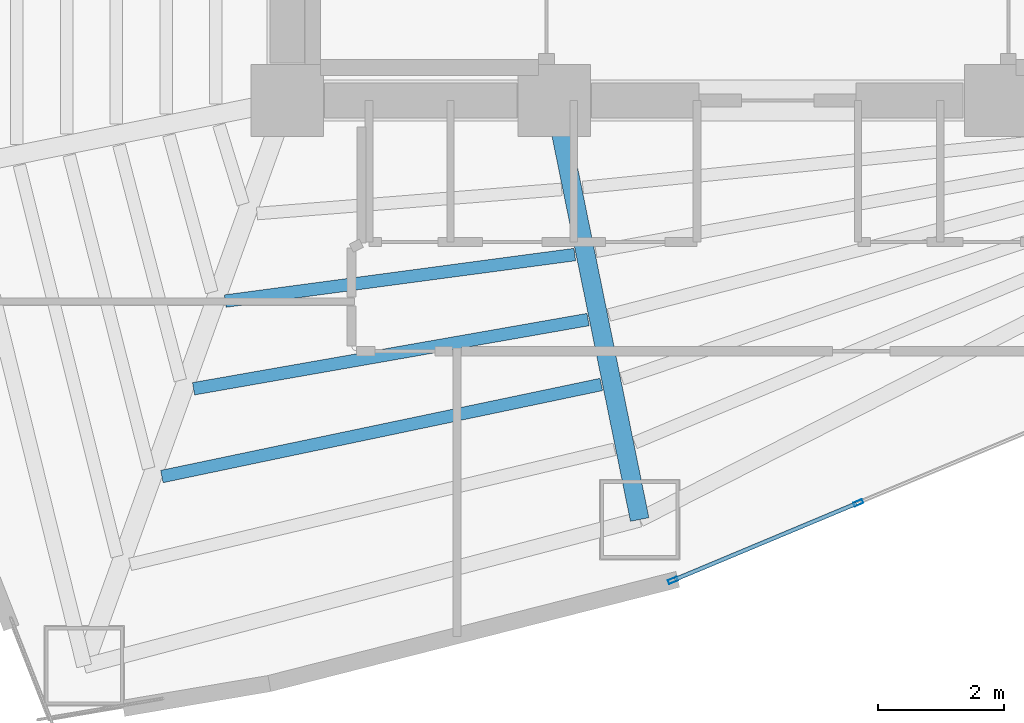
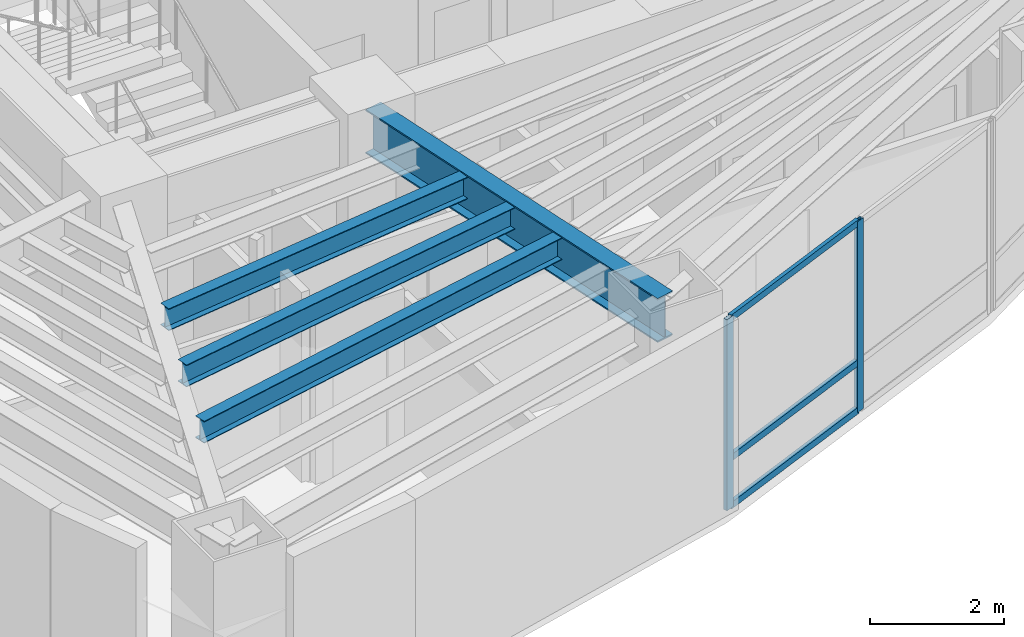
# One storey, part 2 of 18: 5 members, 4 beams, 1 element without a shape of its own.
"""IFC4 building model written with IfcOpenShell, lengths in metres."""

import ifcopenshell
import ifcopenshell.guid

model = None  # the IFC model being written
_history = None  # IfcOwnerHistory: only IFC2X3 demands one
_inside = {}  # id of a spatial element -> (the spatial element, [elements in it])
_under = {}  # id of a project, library or spatial element -> (it, [spatial elements below it])
_declared = {}  # id of a project -> (the project, [libraries it declares])
_typed = {}  # id of a type object -> (the type object, [elements of that type])
_made_of = {}  # id of a material, layer set ... -> (it, [elements and type objects made of it])


def new_model(schema):
    """Start an empty IFC model of exactly this schema.

    Asked for "IFC4X3", IfcOpenShell would pick the latest addendum, in which some entities
    have other attributes; the version numbers below select the first issue.
    IFC2X3 requires an IfcOwnerHistory on every rooted entity: one is made here for all.
    """
    global model, _history
    if schema == "IFC4X3":
        model = ifcopenshell.file(schema_version=(4, 3, 0, 0))
    else:
        model = ifcopenshell.file(schema=schema)
    _inside.clear()
    _under.clear()
    _declared.clear()
    _typed.clear()
    _made_of.clear()
    _history = None
    if model.schema == "IFC2X3":
        org = make("IfcOrganization", Name="unknown")
        user = make(
            "IfcPersonAndOrganization",
            ThePerson=make("IfcPerson", FamilyName="unknown"),
            TheOrganization=org,
        )
        app = make(
            "IfcApplication",
            ApplicationDeveloper=org,
            Version="unknown",
            ApplicationFullName="unknown",
            ApplicationIdentifier="unknown",
        )
        _history = make(
            "IfcOwnerHistory",
            OwningUser=user,
            OwningApplication=app,
            ChangeAction="ADDED",
            CreationDate=0,
        )
    return model


def make(cls, **values):
    """One entity of the class cls with the attributes given. An attribute that is None is left unset."""
    return model.create_entity(
        cls, **{name: value for name, value in values.items() if value is not None}
    )


def rooted(cls, **values):
    """An entity with a GlobalId (a new one), such as an element, a storey or a relation."""
    return make(cls, GlobalId=ifcopenshell.guid.new(), OwnerHistory=_history, **values)


def si_unit(unit_type, name, prefix=None):
    """IfcSIUnit, for example si_unit("LENGTHUNIT", "METRE", prefix="MILLI")."""
    return make("IfcSIUnit", UnitType=unit_type, Prefix=prefix, Name=name)


def assignment(units):
    """IfcUnitAssignment: the units of a project."""
    return None if units is None else make("IfcUnitAssignment", Units=units)


def point(xyz):
    """IfcCartesianPoint."""
    return None if xyz is None else make("IfcCartesianPoint", Coordinates=xyz)


def direction(xyz):
    """IfcDirection."""
    return None if xyz is None else make("IfcDirection", DirectionRatios=xyz)


def frame(location, z_axis=None, x_axis=None):
    """IfcAxis2Placement3D, a coordinate frame: its origin and axes. An axis left out is left unset."""
    return make(
        "IfcAxis2Placement3D",
        Location=point(location),
        Axis=direction(z_axis),
        RefDirection=direction(x_axis),
    )


def frame_2d(location, x_axis=None):
    """IfcAxis2Placement2D, a coordinate frame in the plane: its origin and x axis."""
    return make(
        "IfcAxis2Placement2D", Location=point(location), RefDirection=direction(x_axis)
    )


def origin():
    """The frame at (0, 0, 0) with its axes left unset."""
    return frame((0.0, 0.0, 0.0))


def origin_2d():
    """The frame at (0, 0) in the plane with its x axis left unset."""
    return frame_2d((0.0, 0.0))


def place(relative_to, where):
    """IfcLocalPlacement: puts the frame where relative to a parent placement (None: the world)."""
    return make(
        "IfcLocalPlacement", PlacementRelTo=relative_to, RelativePlacement=where
    )


def context(
    kind, dimensions, precision=None, world=None, true_north=None, identifier=None
):
    """IfcGeometricRepresentationContext, for example the 3D "Model" context."""
    return make(
        "IfcGeometricRepresentationContext",
        ContextIdentifier=identifier,
        ContextType=kind,
        CoordinateSpaceDimension=dimensions,
        Precision=precision,
        WorldCoordinateSystem=world,
        TrueNorth=true_north,
    )


def subcontext(parent, identifier, kind, view, scale=None):
    """IfcGeometricRepresentationSubContext, for example "Body" below "Model"."""
    return make(
        "IfcGeometricRepresentationSubContext",
        ContextIdentifier=identifier,
        ContextType=kind,
        ParentContext=parent,
        TargetScale=scale,
        TargetView=view,
    )


def project(units=None, contexts=None):
    """IfcProject with its units and contexts."""
    return rooted(
        "IfcProject",
        Name="project",
        RepresentationContexts=contexts,
        UnitsInContext=assignment(units),
    )


def spatial(cls, under=None, at=None, **own):
    """A site, building, storey or space (cls), placed at a placement, below another one or the project."""
    s = rooted(cls, ObjectPlacement=at, **own)
    if under is not None:
        _under.setdefault(under.id(), (under, []))[1].append(s)
    return s


def profile(cls, at=None, kind="AREA", **sizes):
    """A parametric profile (cls). Its sizes go by their IFC names, for example OverallWidth=200.0."""
    return make(cls, ProfileType=kind, Position=at, **sizes)


def hollow_rectangle(**sizes):
    """IfcRectangleHollowProfileDef."""
    return profile("IfcRectangleHollowProfileDef", **sizes)


def i_section(**sizes):
    """IfcIShapeProfileDef."""
    return profile("IfcIShapeProfileDef", **sizes)


def extrude(swept, where, along, depth):
    """IfcExtrudedAreaSolid: the profile swept, set in the frame where, extruded along a direction by depth."""
    return make(
        "IfcExtrudedAreaSolid",
        SweptArea=swept,
        Position=where,
        ExtrudedDirection=direction(along),
        Depth=depth,
    )


def shape(context_of_items, identifier, shape_type, items):
    """IfcShapeRepresentation: the items that make up one representation, for example the "Body"."""
    return make(
        "IfcShapeRepresentation",
        ContextOfItems=context_of_items,
        RepresentationIdentifier=identifier,
        RepresentationType=shape_type,
        Items=items,
    )


def material(Name=None, Category=None):
    """IfcMaterial."""
    return make("IfcMaterial", Name=Name, Category=Category)


def layer(
    of_material, thickness, ventilated=None, Name=None, Category=None, Priority=None
):
    """IfcMaterialLayer: one layer of a wall or slab, of a material (None: an air gap)."""
    return make(
        "IfcMaterialLayer",
        Material=of_material,
        LayerThickness=thickness,
        IsVentilated=ventilated,
        Name=Name,
        Category=Category,
        Priority=Priority,
    )


def layer_set(layers, Name=None):
    """IfcMaterialLayerSet."""
    return make("IfcMaterialLayerSet", MaterialLayers=layers, LayerSetName=Name)


def material_profile(
    of_material, cross_section, Name=None, Category=None, Priority=None
):
    """IfcMaterialProfile: a cross section and its material."""
    return make(
        "IfcMaterialProfile",
        Name=Name,
        Material=of_material,
        Profile=cross_section,
        Priority=Priority,
        Category=Category,
    )


def profile_set(profiles, Name=None, composite=None):
    """IfcMaterialProfileSet."""
    return make(
        "IfcMaterialProfileSet",
        Name=Name,
        MaterialProfiles=profiles,
        CompositeProfile=composite,
    )


def made_of(thing, what):
    """Note that an element or type object is made of a material, layer set ...; save() writes the relation."""
    if what is not None:
        _made_of.setdefault(what.id(), (what, []))[1].append(thing)
    return thing


def type_object(cls, material=None, **own):
    """A type object (cls), such as IfcWallType, which elements share."""
    return made_of(rooted(cls, **own), material)


def element(
    cls,
    number,
    at=None,
    inside=None,
    cuts=None,
    type_object=None,
    material=None,
    context=None,
    identifier="Body",
    shape_type=None,
    held_by="IfcProductDefinitionShape",
    body=None,
    shapes=None,
    **own,
):
    """One element of the class cls, such as IfcWall. Its Tag is "e" and its number.

    at: its placement. inside: the storey or other place that contains it. cuts: it is an
    opening in that element (IfcRelVoidsElement). A single representation is given by context,
    identifier, shape_type and body (its items); several are given by shapes. held_by: the class
    of the entity that holds the representations. save() writes the other relations.
    """
    e = rooted(cls, Tag="e%d" % number, ObjectPlacement=at, **own)
    if body is not None:
        shapes = [shape(context, identifier, shape_type, body)]
    if shapes is not None:
        e.Representation = make(held_by, Representations=shapes)
    if inside is not None:
        _inside.setdefault(inside.id(), (inside, []))[1].append(e)
    if cuts is not None:
        rooted(
            "IfcRelVoidsElement", RelatingBuildingElement=cuts, RelatedOpeningElement=e
        )
    if type_object is not None:
        _typed.setdefault(type_object.id(), (type_object, []))[1].append(e)
    return made_of(e, material)


def aggregate(whole, parts):
    """IfcRelAggregates: a whole, such as a stair, and the parts it consists of."""
    return rooted("IfcRelAggregates", RelatingObject=whole, RelatedObjects=parts)


def save(model, path):
    """Write the relations noted so far, then the file.

    IfcRelAggregates (storeys below a building ...), IfcRelContainedInSpatialStructure (elements
    in a storey), IfcRelDefinesByType, IfcRelAssociatesMaterial and IfcRelDeclares: one each for
    every whole, place, type object, material and project.
    """
    for whole, parts in _under.values():
        aggregate(whole, parts)
    for where, things in _inside.values():
        rooted(
            "IfcRelContainedInSpatialStructure",
            RelatedElements=things,
            RelatingStructure=where,
        )
    for kind, things in _typed.values():
        rooted("IfcRelDefinesByType", RelatedObjects=things, RelatingType=kind)
    for what, things in _made_of.values():
        rooted("IfcRelAssociatesMaterial", RelatedObjects=things, RelatingMaterial=what)
    for by, libraries in _declared.values():
        rooted("IfcRelDeclares", RelatingContext=by, RelatedDefinitions=libraries)
    model.write(path)


model = new_model("IFC4")

# Units and contexts
model_context = context("Model", 3, precision=1e-05, world=origin(), true_north=direction((0.0, 1.0)))
body_context = subcontext(model_context, "Body", "Model", "MODEL_VIEW")
ifc_project = project(units=[si_unit("LENGTHUNIT", "METRE"), si_unit("AREAUNIT", "SQUARE_METRE"), si_unit("VOLUMEUNIT", "CUBIC_METRE"), si_unit("PLANEANGLEUNIT", "RADIAN"), si_unit("MASSUNIT", "GRAM", prefix="KILO")], contexts=[model_context])

# Site, building, storey
site_placement = place(None, origin())
site = spatial("IfcSite", under=ifc_project, at=site_placement, CompositionType="ELEMENT")
building_placement = place(site_placement, origin())
building = spatial("IfcBuilding", under=site, at=building_placement, Name="Menara Vayukalpa", CompositionType="ELEMENT")
storey_placement = place(building_placement, frame((0.0, 0.0, 130.02001953125)))
storey = spatial("IfcBuildingStorey", under=building, at=storey_placement, Name="L32", CompositionType="ELEMENT", Elevation=130.02001953125)

# Beams
ifc_material_1 = material(Name="Steel S355", Category="steel")
ifc_material_profile_1 = material_profile(ifc_material_1, i_section(OverallWidth=0.300048828125, OverallDepth=0.800048828125, WebThickness=0.013916015625, FlangeThickness=0.02587890625, at=origin_2d()), Name="WF 800x300x14x26")
ifc_profile_set_1 = profile_set([ifc_material_profile_1], Name="Steel S355")
beam_type_1 = type_object("IfcBeamType", Name="BM-PG3", PredefinedType="BEAM", material=ifc_profile_set_1)
beam_1_placement = place(storey_placement, frame((22.099853515625, 16.955078125, 3.070068359375), z_axis=(0.199617728418, -0.9798738503, 0.0), x_axis=(0.9798738503, 0.199617728418, 0.0)))
element("IfcBeam", 1, at=beam_1_placement, inside=storey, type_object=beam_type_1, Name="L32 Primary Radial Girder RG08", PredefinedType="BEAM", context=body_context, shape_type="SweptSolid", body=[
    extrude(i_section(OverallWidth=0.300048828125, OverallDepth=0.800048828125, WebThickness=0.013916015625, FlangeThickness=0.02587890625, at=origin_2d()), origin(), (0.0, 0.0, 1.0), 6.55419921875),
])
ifc_material_2 = material(Name="Steel S355", Category="steel")
ifc_material_profile_2 = material_profile(ifc_material_2, i_section(OverallWidth=0.199951171875, OverallDepth=0.39990234375, WebThickness=0.008056640625, FlangeThickness=0.012939453125, at=origin_2d()), Name="WF 400x200x8x13")
ifc_profile_set_2 = profile_set([ifc_material_profile_2], Name="Steel S355")
beam_type_2 = type_object("IfcBeamType", Name="BM-SJ2", PredefinedType="JOIST", material=ifc_profile_set_2)
beam_2_placement = place(storey_placement, frame((16.814208984375, 14.008056640625, 3.27001953125), z_axis=(0.991248408809, 0.132009817941, 0.0), x_axis=(-0.132009817941, 0.991248408809, 0.0)))
element("IfcBeam", 2, at=beam_2_placement, inside=storey, type_object=beam_type_2, Name="L32 Secondary Floor Joist SJ07-2", PredefinedType="JOIST", context=body_context, shape_type="SweptSolid", body=[
    extrude(i_section(OverallWidth=0.199951171875, OverallDepth=0.39990234375, WebThickness=0.008056640625, FlangeThickness=0.012939453125, at=origin_2d()), origin(), (0.0, 0.0, 1.0), 5.611083984375),
])
beam_3_placement = place(storey_placement, frame((16.309814453125, 12.613037109375, 3.27001953125), z_axis=(0.984953935883, 0.172817083033, 0.0), x_axis=(-0.172817083033, 0.984953935883, 0.0)))
element("IfcBeam", 3, at=beam_3_placement, inside=storey, type_object=beam_type_2, Name="L32 Secondary Floor Joist SJ07-3", PredefinedType="JOIST", context=body_context, shape_type="SweptSolid", body=[
    extrude(i_section(OverallWidth=0.199951171875, OverallDepth=0.39990234375, WebThickness=0.008056640625, FlangeThickness=0.012939453125, at=origin_2d()), origin(), (0.0, 0.0, 1.0), 6.372802734375),
])
beam_4_placement = place(storey_placement, frame((15.805419921875, 11.216552734375, 3.27001953125), z_axis=(0.978749487369, 0.205059603471, 0.0), x_axis=(-0.205059603471, 0.978749487369, 0.0)))
element("IfcBeam", 4, at=beam_4_placement, inside=storey, type_object=beam_type_2, Name="L32 Secondary Floor Joist SJ07-4", PredefinedType="JOIST", context=body_context, shape_type="SweptSolid", body=[
    extrude(i_section(OverallWidth=0.199951171875, OverallDepth=0.39990234375, WebThickness=0.008056640625, FlangeThickness=0.012939453125, at=origin_2d()), origin(), (0.0, 0.0, 1.0), 7.1435546875),
])

# Curtain wall, members
ifc_material_3 = material(Name="Anodised Terracotta Aluminium Alloy 6063-T6", Category="masonry")
ifc_layer = layer(ifc_material_3, 0.14990234375)
ifc_layer_set = layer_set([ifc_layer], Name="Anodised Terracotta Aluminium Alloy 6063-T6")
curtain_wall_type = type_object("IfcCurtainWallType", Name="CW-CW3", PredefinedType="USERDEFINED", material=ifc_layer_set)
curtain_wall_placement = place(storey_placement, origin())
curtain_wall = element("IfcCurtainWall", 5, at=curtain_wall_placement, inside=storey, type_object=curtain_wall_type, Name="L32 Mid Rise Terracotta Ribbon Curtain Wall CW3 16", ObjectType="UNITISED", PredefinedType="USERDEFINED")
ifc_material_4 = material(Name="Anodised Terracotta Aluminium Alloy 6063-T6", Category="masonry")
ifc_material_profile_3 = material_profile(ifc_material_4, hollow_rectangle(XDim=0.06494140625, YDim=0.14990234375, WallThickness=0.00341796875, at=origin_2d()), Name="ALU 65x150x3.5")
ifc_profile_set_3 = profile_set([ifc_material_profile_3], Name="Anodised Terracotta Aluminium Alloy 6063-T6")
member_type_1 = type_object("IfcMemberType", Name="CWM-CW3", PredefinedType="MULLION", material=ifc_profile_set_3)
member_1_placement = place(storey_placement, frame((23.9375, 9.56494140625, 0.0), z_axis=(0.0, 0.0, 1.0), x_axis=(-0.38589358437, 0.922543300632, 0.0)))
member_1 = element("IfcMember", 6, at=member_1_placement, type_object=member_type_1, Name="CW3 mullion 1", PredefinedType="MULLION", context=body_context, shape_type="SweptSolid", body=[
    extrude(hollow_rectangle(XDim=0.06494140625, YDim=0.14990234375, WallThickness=0.00341796875, at=origin_2d()), origin(), (0.0, 0.0, 1.0), 3.469970703125),
])
member_2_placement = place(storey_placement, frame((26.88671875, 10.798583984375, 0.0), z_axis=(0.0, 0.0, 1.0), x_axis=(-0.38589358437, 0.922543300632, 0.0)))
member_2 = element("IfcMember", 7, at=member_2_placement, type_object=member_type_1, Name="CW3 mullion 2", PredefinedType="MULLION", context=body_context, shape_type="SweptSolid", body=[
    extrude(hollow_rectangle(XDim=0.06494140625, YDim=0.14990234375, WallThickness=0.00341796875, at=origin_2d()), origin(), (0.0, 0.0, 1.0), 3.469970703125),
])
ifc_material_5 = material(Name="Anodised Terracotta Aluminium Alloy 6063-T6", Category="masonry")
ifc_material_profile_4 = material_profile(ifc_material_5, hollow_rectangle(XDim=0.06494140625, YDim=0.1201171875, WallThickness=0.00341796875, at=origin_2d()), Name="ALU 65x120x3.5")
ifc_profile_set_4 = profile_set([ifc_material_profile_4], Name="Anodised Terracotta Aluminium Alloy 6063-T6")
member_type_2 = type_object("IfcMemberType", Name="CWT-CW3", PredefinedType="USERDEFINED", material=ifc_profile_set_4)
member_3_placement = place(storey_placement, frame((23.96728515625, 9.577392578125, 0.032470703125), z_axis=(0.922529423765, 0.385926757673, 0.0), x_axis=(-0.385926757673, 0.922529423765, 0.0)))
member_3 = element("IfcMember", 8, at=member_3_placement, type_object=member_type_2, Name="CW3 transom 1.1", ObjectType="TRANSOM", PredefinedType="USERDEFINED", context=body_context, shape_type="SweptSolid", body=[
    extrude(hollow_rectangle(XDim=0.06494140625, YDim=0.1201171875, WallThickness=0.00341796875, at=origin_2d()), origin(), (0.0, 0.0, 1.0), 3.132080078125),
])
member_4_placement = place(storey_placement, frame((23.96728515625, 9.577392578125, 0.89990234375), z_axis=(0.922529423765, 0.385926757673, 0.0), x_axis=(-0.385926757673, 0.922529423765, 0.0)))
member_4 = element("IfcMember", 9, at=member_4_placement, type_object=member_type_2, Name="CW3 transom 1.2", ObjectType="TRANSOM", PredefinedType="USERDEFINED", context=body_context, shape_type="SweptSolid", body=[
    extrude(hollow_rectangle(XDim=0.06494140625, YDim=0.1201171875, WallThickness=0.00341796875, at=origin_2d()), origin(), (0.0, 0.0, 1.0), 3.132080078125),
])
member_5_placement = place(storey_placement, frame((23.96728515625, 9.577392578125, 3.4375), z_axis=(0.922529423765, 0.385926757673, 0.0), x_axis=(-0.385926757673, 0.922529423765, 0.0)))
member_5 = element("IfcMember", 10, at=member_5_placement, type_object=member_type_2, Name="CW3 transom 1.3", ObjectType="TRANSOM", PredefinedType="USERDEFINED", context=body_context, shape_type="SweptSolid", body=[
    extrude(hollow_rectangle(XDim=0.06494140625, YDim=0.1201171875, WallThickness=0.00341796875, at=origin_2d()), origin(), (0.0, 0.0, 1.0), 3.132080078125),
])
aggregate(curtain_wall, [member_1, member_2, member_3, member_4, member_5])

save(model, "model.ifc")
